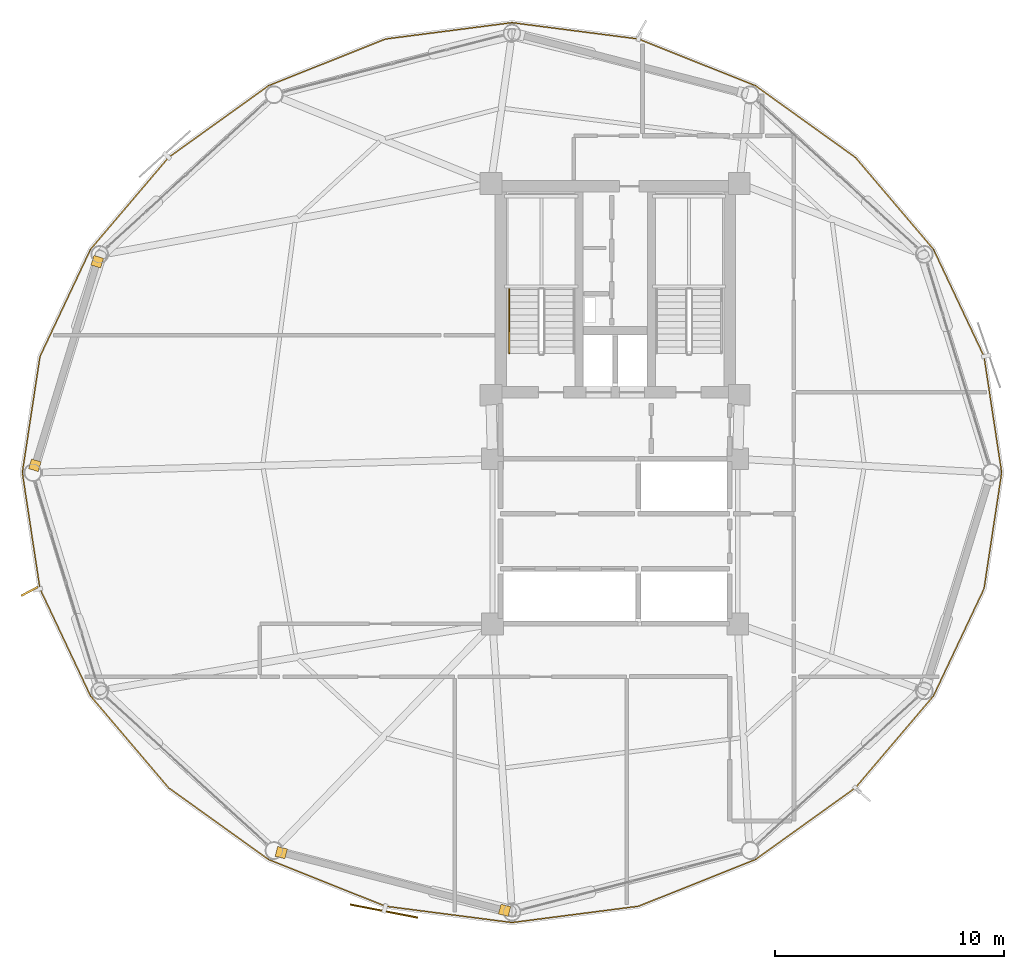
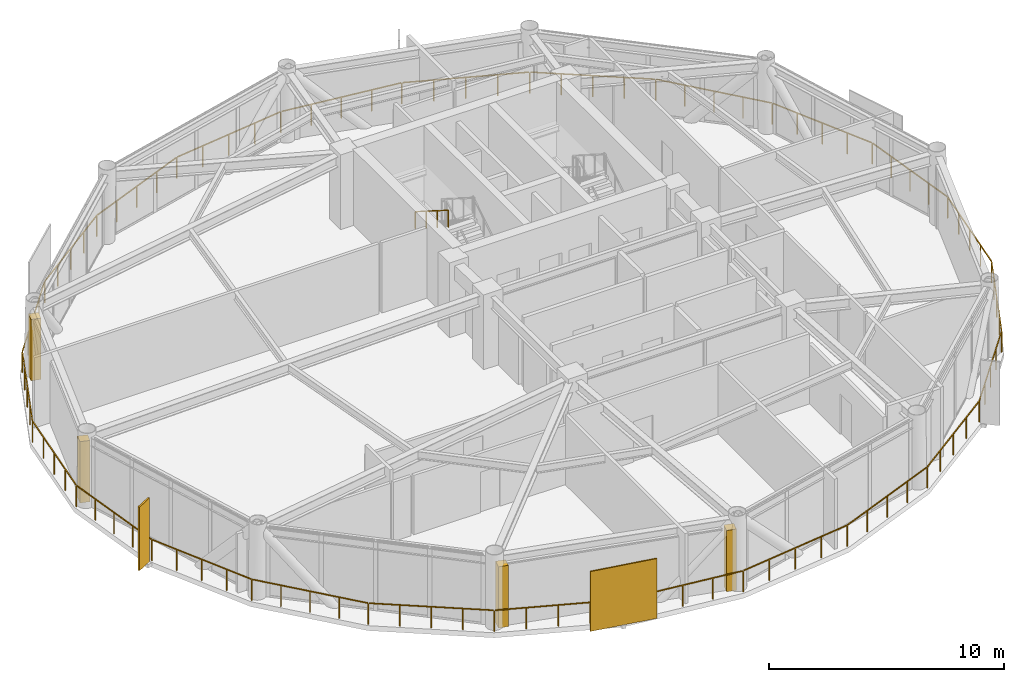
# One storey, part 25 of 27: 4 coverings, 2 railings, 2 shading devices.
"""IFC4 building model written with IfcOpenShell, lengths in metres."""

from ifc_helpers import new_model, si_unit, direction, frame, origin, origin_2d, place, context, subcontext, project, spatial, rectangle, extrude, source, transform, mapped, material, layer, layer_set, type_object, type_shapes, element, save


model = new_model("IFC4")

# Units and contexts
model_context = context("Model", 3, precision=1e-05, world=origin(), true_north=direction((0.0, 1.0)))
body_context = subcontext(model_context, "Body", "Model", "MODEL_VIEW")
ifc_project = project(units=[si_unit("LENGTHUNIT", "METRE"), si_unit("AREAUNIT", "SQUARE_METRE"), si_unit("VOLUMEUNIT", "CUBIC_METRE"), si_unit("PLANEANGLEUNIT", "RADIAN"), si_unit("MASSUNIT", "GRAM", prefix="KILO")], contexts=[model_context])

# Site, building, storey
site_placement = place(None, origin())
site = spatial("IfcSite", under=ifc_project, at=site_placement, CompositionType="ELEMENT")
building_placement = place(site_placement, origin())
building = spatial("IfcBuilding", under=site, at=building_placement, Name="Varnakorn Sky Granary", CompositionType="ELEMENT")
storey_placement = place(building_placement, frame((0.0, 0.0, 142.199951171875)))
storey = spatial("IfcBuildingStorey", under=building, at=storey_placement, Name="L35", CompositionType="ELEMENT", Elevation=142.199951171875)

# Railings
ifc_material_1 = material(Name="Anodised Bronze Aluminium Alloy 6063-T6", Category="aluminium")
railing_type_1 = type_object("IfcRailingType", Name="RL-BAL-1120", PredefinedType="BALUSTRADE", material=ifc_material_1)
railing_1_placement = place(storey_placement, frame((19.865966796875, 0.0, 0.0)))
element("IfcRailing", 1, at=railing_1_placement, inside=storey, type_object=railing_type_1, Name="Perimeter Slab-Edge Safety Guard L35", PredefinedType="BALUSTRADE", context=body_context, shape_type="SweptSolid", body=[
    extrude(rectangle(XDim=0.048095703125, YDim=0.048095703125, at=origin_2d()), frame((-0.004150390625, -0.027587890625, 1.09619140625), z_axis=(-0.150360002808, -0.988631311236, 0.0), x_axis=(0.988631311236, -0.150360002808, 0.0)), (0.0, 0.0, 1.0), 5.068359375),
    extrude(rectangle(XDim=0.048095703125, YDim=0.048095703125, at=origin_2d()), frame((-0.782470703125, -5.091552734375, 1.09619140625), z_axis=(-0.426515224889, -0.904480382838, 0.0), x_axis=(0.904480382838, -0.426515224889, 0.0)), (0.0, 0.0, 1.0), 5.1162109375),
    extrude(rectangle(XDim=0.048095703125, YDim=0.048095703125, at=origin_2d()), frame((-2.99462890625, -9.765625, 1.09619140625), z_axis=(-0.647547349465, -0.76202521625, 0.0), x_axis=(0.76202521625, -0.647547349465, 0.0)), (0.0, 0.0, 1.0), 5.203125),
    extrude(rectangle(XDim=0.048095703125, YDim=0.048095703125, at=origin_2d()), frame((-6.40478515625, -13.768310546875, 1.09619140625), z_axis=(-0.812556027239, -0.582883095138, 0.0), x_axis=(0.582883095138, -0.812556027239, 0.0)), (0.0, 0.0, 1.0), 5.3173828125),
    extrude(rectangle(XDim=0.048095703125, YDim=0.048095703125, at=origin_2d()), frame((-10.7744140625, -16.89453125, 1.09619140625), z_axis=(-0.92873103056, -0.370754194684, 0.0), x_axis=(0.370754194684, -0.92873103056, 0.0)), (0.0, 0.0, 1.0), 5.433837890625),
    extrude(rectangle(XDim=0.048095703125, YDim=0.048095703125, at=origin_2d()), frame((-15.874755859375, -18.923095703125, 1.09619140625), z_axis=(-0.991766187306, -0.128061819904, 0.0), x_axis=(0.128061819904, -0.991766187306, 0.0)), (0.0, 0.0, 1.0), 5.5087890625),
    extrude(rectangle(XDim=0.048095703125, YDim=0.048095703125, at=origin_2d()), frame((-21.393798828125, -19.62841796875, 1.09619140625), z_axis=(-0.991766187306, 0.128061819904, 0.0), x_axis=(-0.128061819904, -0.991766187306, 0.0)), (0.0, 0.0, 1.0), 5.5087890625),
    extrude(rectangle(XDim=0.048095703125, YDim=0.048095703125, at=origin_2d()), frame((-26.9111328125, -18.908935546875, 1.09619140625), z_axis=(-0.92873103056, 0.370754194684, 0.0), x_axis=(-0.370754194684, -0.92873103056, 0.0)), (0.0, 0.0, 1.0), 5.433837890625),
    extrude(rectangle(XDim=0.048095703125, YDim=0.048095703125, at=origin_2d()), frame((-32.00634765625, -16.86767578125, 1.09619140625), z_axis=(-0.812556027239, 0.582883095138, 0.0), x_axis=(-0.582883095138, -0.812556027239, 0.0)), (0.0, 0.0, 1.0), 5.3173828125),
    extrude(rectangle(XDim=0.048095703125, YDim=0.048095703125, at=origin_2d()), frame((-36.367919921875, -13.730712890625, 1.09619140625), z_axis=(-0.647547349465, 0.76202521625, 0.0), x_axis=(-0.76202521625, -0.647547349465, 0.0)), (0.0, 0.0, 1.0), 5.203125),
    extrude(rectangle(XDim=0.048095703125, YDim=0.048095703125, at=origin_2d()), frame((-39.767333984375, -9.718994140625, 1.09619140625), z_axis=(-0.426515224889, 0.904480382838, 0.0), x_axis=(-0.904480382838, -0.426515224889, 0.0)), (0.0, 0.0, 1.0), 5.1162109375),
    extrude(rectangle(XDim=0.048095703125, YDim=0.048095703125, at=origin_2d()), frame((-41.965576171875, -5.03857421875, 1.09619140625), z_axis=(-0.150360002808, 0.988631311236, 0.0), x_axis=(-0.988631311236, -0.150360002808, 0.0)), (0.0, 0.0, 1.0), 5.068359375),
    extrude(rectangle(XDim=0.048095703125, YDim=0.048095703125, at=origin_2d()), frame((-42.727783203125, 0.027587890625, 1.09619140625), z_axis=(0.150360002808, 0.988631311236, 0.0), x_axis=(-0.988631311236, 0.150360002808, 0.0)), (0.0, 0.0, 1.0), 5.068359375),
    extrude(rectangle(XDim=0.048095703125, YDim=0.048095703125, at=origin_2d()), frame((-41.949462890625, 5.091552734375, 1.09619140625), z_axis=(0.426515224889, 0.904480382838, 0.0), x_axis=(-0.904480382838, 0.426515224889, 0.0)), (0.0, 0.0, 1.0), 5.1162109375),
    extrude(rectangle(XDim=0.048095703125, YDim=0.048095703125, at=origin_2d()), frame((-39.7373046875, 9.765625, 1.09619140625), z_axis=(0.647547349465, 0.76202521625, 0.0), x_axis=(-0.76202521625, 0.647547349465, 0.0)), (0.0, 0.0, 1.0), 5.203125),
    extrude(rectangle(XDim=0.048095703125, YDim=0.048095703125, at=origin_2d()), frame((-36.3271484375, 13.768310546875, 1.09619140625), z_axis=(0.812556027239, 0.582883095138, 0.0), x_axis=(-0.582883095138, 0.812556027239, 0.0)), (0.0, 0.0, 1.0), 5.3173828125),
    extrude(rectangle(XDim=0.048095703125, YDim=0.048095703125, at=origin_2d()), frame((-31.95751953125, 16.89453125, 1.09619140625), z_axis=(0.92873103056, 0.370754194684, 0.0), x_axis=(-0.370754194684, 0.92873103056, 0.0)), (0.0, 0.0, 1.0), 5.433837890625),
    extrude(rectangle(XDim=0.048095703125, YDim=0.048095703125, at=origin_2d()), frame((-26.857177734375, 18.923095703125, 1.09619140625), z_axis=(0.991766187306, 0.128061819904, 0.0), x_axis=(-0.128061819904, 0.991766187306, 0.0)), (0.0, 0.0, 1.0), 5.5087890625),
    extrude(rectangle(XDim=0.048095703125, YDim=0.048095703125, at=origin_2d()), frame((-21.338134765625, 19.62841796875, 1.09619140625), z_axis=(0.991766187306, -0.128061819904, 0.0), x_axis=(0.128061819904, 0.991766187306, 0.0)), (0.0, 0.0, 1.0), 5.5087890625),
    extrude(rectangle(XDim=0.048095703125, YDim=0.048095703125, at=origin_2d()), frame((-15.82080078125, 18.908935546875, 1.09619140625), z_axis=(0.92873103056, -0.370754194684, 0.0), x_axis=(0.370754194684, 0.92873103056, 0.0)), (0.0, 0.0, 1.0), 5.433837890625),
    extrude(rectangle(XDim=0.048095703125, YDim=0.048095703125, at=origin_2d()), frame((-10.7255859375, 16.86767578125, 1.09619140625), z_axis=(0.812556027239, -0.582883095138, 0.0), x_axis=(0.582883095138, 0.812556027239, 0.0)), (0.0, 0.0, 1.0), 5.3173828125),
    extrude(rectangle(XDim=0.048095703125, YDim=0.048095703125, at=origin_2d()), frame((-6.364013671875, 13.730712890625, 1.09619140625), z_axis=(0.647547349465, -0.76202521625, 0.0), x_axis=(0.76202521625, 0.647547349465, 0.0)), (0.0, 0.0, 1.0), 5.203125),
    extrude(rectangle(XDim=0.048095703125, YDim=0.048095703125, at=origin_2d()), frame((-2.964599609375, 9.718994140625, 1.09619140625), z_axis=(0.426515224889, -0.904480382838, 0.0), x_axis=(0.904480382838, 0.426515224889, 0.0)), (0.0, 0.0, 1.0), 5.1162109375),
    extrude(rectangle(XDim=0.048095703125, YDim=0.048095703125, at=origin_2d()), frame((-0.766357421875, 5.03857421875, 1.09619140625), z_axis=(0.150360002808, -0.988631311236, 0.0), x_axis=(0.988631311236, 0.150360002808, 0.0)), (0.0, 0.0, 1.0), 5.068359375),
    extrude(rectangle(XDim=0.0419921875, YDim=0.0419921875, at=origin_2d()), origin(), (0.0, 0.0, 1.0), 1.068115234375),
    extrude(rectangle(XDim=0.0419921875, YDim=0.0419921875, at=origin_2d()), frame((-0.192626953125, -1.2666015625, 0.0)), (0.0, 0.0, 1.0), 1.068115234375),
    extrude(rectangle(XDim=0.0419921875, YDim=0.0419921875, at=origin_2d()), frame((-0.38525390625, -2.533203125, 0.0)), (0.0, 0.0, 1.0), 1.068115234375),
    extrude(rectangle(XDim=0.0419921875, YDim=0.0419921875, at=origin_2d()), frame((-0.577880859375, -3.799560546875, 0.0)), (0.0, 0.0, 1.0), 1.068115234375),
    extrude(rectangle(XDim=0.0419921875, YDim=0.0419921875, at=origin_2d()), frame((-0.7705078125, -5.066162109375, 0.0)), (0.0, 0.0, 1.0), 1.068115234375),
    extrude(rectangle(XDim=0.0419921875, YDim=0.0419921875, at=origin_2d()), frame((-1.322021484375, -6.23583984375, 0.0)), (0.0, 0.0, 1.0), 1.068115234375),
    extrude(rectangle(XDim=0.0419921875, YDim=0.0419921875, at=origin_2d()), frame((-1.87353515625, -7.4052734375, 0.0)), (0.0, 0.0, 1.0), 1.068115234375),
    extrude(rectangle(XDim=0.0419921875, YDim=0.0419921875, at=origin_2d()), frame((-2.425048828125, -8.57470703125, 0.0)), (0.0, 0.0, 1.0), 1.068115234375),
    extrude(rectangle(XDim=0.0419921875, YDim=0.0419921875, at=origin_2d()), frame((-2.9765625, -9.744384765625, 0.0)), (0.0, 0.0, 1.0), 1.068115234375),
    extrude(rectangle(XDim=0.0419921875, YDim=0.0419921875, at=origin_2d()), frame((-3.827880859375, -10.746337890625, 0.0)), (0.0, 0.0, 1.0), 1.068115234375),
    extrude(rectangle(XDim=0.0419921875, YDim=0.0419921875, at=origin_2d()), frame((-4.67919921875, -11.748046875, 0.0)), (0.0, 0.0, 1.0), 1.068115234375),
    extrude(rectangle(XDim=0.0419921875, YDim=0.0419921875, at=origin_2d()), frame((-5.53076171875, -12.75, 0.0)), (0.0, 0.0, 1.0), 1.068115234375),
    extrude(rectangle(XDim=0.0419921875, YDim=0.0419921875, at=origin_2d()), frame((-6.382080078125, -13.751953125, 0.0)), (0.0, 0.0, 1.0), 1.068115234375),
    extrude(rectangle(XDim=0.0419921875, YDim=0.0419921875, at=origin_2d()), frame((-7.4736328125, -14.534912109375, 0.0)), (0.0, 0.0, 1.0), 1.068115234375),
    extrude(rectangle(XDim=0.0419921875, YDim=0.0419921875, at=origin_2d()), frame((-8.565185546875, -15.31787109375, 0.0)), (0.0, 0.0, 1.0), 1.068115234375),
    extrude(rectangle(XDim=0.0419921875, YDim=0.0419921875, at=origin_2d()), frame((-9.65673828125, -16.10107421875, 0.0)), (0.0, 0.0, 1.0), 1.068115234375),
    extrude(rectangle(XDim=0.0419921875, YDim=0.0419921875, at=origin_2d()), frame((-10.748291015625, -16.884033203125, 0.0)), (0.0, 0.0, 1.0), 1.068115234375),
    extrude(rectangle(XDim=0.0419921875, YDim=0.0419921875, at=origin_2d()), frame((-12.02294921875, -17.392822265625, 0.0)), (0.0, 0.0, 1.0), 1.068115234375),
    extrude(rectangle(XDim=0.0419921875, YDim=0.0419921875, at=origin_2d()), frame((-13.297607421875, -17.90185546875, 0.0)), (0.0, 0.0, 1.0), 1.068115234375),
    extrude(rectangle(XDim=0.0419921875, YDim=0.0419921875, at=origin_2d()), frame((-14.572265625, -18.41064453125, 0.0)), (0.0, 0.0, 1.0), 1.068115234375),
    extrude(rectangle(XDim=0.0419921875, YDim=0.0419921875, at=origin_2d()), frame((-15.846923828125, -18.91943359375, 0.0)), (0.0, 0.0, 1.0), 1.068115234375),
    extrude(rectangle(XDim=0.0419921875, YDim=0.0419921875, at=origin_2d()), frame((-17.2265625, -19.09765625, 0.0)), (0.0, 0.0, 1.0), 1.068115234375),
    extrude(rectangle(XDim=0.0419921875, YDim=0.0419921875, at=origin_2d()), frame((-18.6064453125, -19.27587890625, 0.0)), (0.0, 0.0, 1.0), 1.068115234375),
    extrude(rectangle(XDim=0.0419921875, YDim=0.0419921875, at=origin_2d()), frame((-19.986328125, -19.453857421875, 0.0)), (0.0, 0.0, 1.0), 1.068115234375),
    extrude(rectangle(XDim=0.0419921875, YDim=0.0419921875, at=origin_2d()), frame((-21.365966796875, -19.632080078125, 0.0)), (0.0, 0.0, 1.0), 1.068115234375),
    extrude(rectangle(XDim=0.0419921875, YDim=0.0419921875, at=origin_2d()), frame((-22.74560546875, -19.453857421875, 0.0)), (0.0, 0.0, 1.0), 1.068115234375),
    extrude(rectangle(XDim=0.0419921875, YDim=0.0419921875, at=origin_2d()), frame((-24.12548828125, -19.27587890625, 0.0)), (0.0, 0.0, 1.0), 1.068115234375),
    extrude(rectangle(XDim=0.0419921875, YDim=0.0419921875, at=origin_2d()), frame((-25.50537109375, -19.09765625, 0.0)), (0.0, 0.0, 1.0), 1.068115234375),
    extrude(rectangle(XDim=0.0419921875, YDim=0.0419921875, at=origin_2d()), frame((-26.885009765625, -18.91943359375, 0.0)), (0.0, 0.0, 1.0), 1.068115234375),
    extrude(rectangle(XDim=0.0419921875, YDim=0.0419921875, at=origin_2d()), frame((-28.15966796875, -18.41064453125, 0.0)), (0.0, 0.0, 1.0), 1.068115234375),
    extrude(rectangle(XDim=0.0419921875, YDim=0.0419921875, at=origin_2d()), frame((-29.434326171875, -17.90185546875, 0.0)), (0.0, 0.0, 1.0), 1.068115234375),
    extrude(rectangle(XDim=0.0419921875, YDim=0.0419921875, at=origin_2d()), frame((-30.708984375, -17.392822265625, 0.0)), (0.0, 0.0, 1.0), 1.068115234375),
    extrude(rectangle(XDim=0.0419921875, YDim=0.0419921875, at=origin_2d()), frame((-31.983642578125, -16.884033203125, 0.0)), (0.0, 0.0, 1.0), 1.068115234375),
    extrude(rectangle(XDim=0.0419921875, YDim=0.0419921875, at=origin_2d()), frame((-33.0751953125, -16.10107421875, 0.0)), (0.0, 0.0, 1.0), 1.068115234375),
    extrude(rectangle(XDim=0.0419921875, YDim=0.0419921875, at=origin_2d()), frame((-34.166748046875, -15.31787109375, 0.0)), (0.0, 0.0, 1.0), 1.068115234375),
    extrude(rectangle(XDim=0.0419921875, YDim=0.0419921875, at=origin_2d()), frame((-35.25830078125, -14.534912109375, 0.0)), (0.0, 0.0, 1.0), 1.068115234375),
    extrude(rectangle(XDim=0.0419921875, YDim=0.0419921875, at=origin_2d()), frame((-36.349853515625, -13.751953125, 0.0)), (0.0, 0.0, 1.0), 1.068115234375),
    extrude(rectangle(XDim=0.0419921875, YDim=0.0419921875, at=origin_2d()), frame((-37.201171875, -12.75, 0.0)), (0.0, 0.0, 1.0), 1.068115234375),
    extrude(rectangle(XDim=0.0419921875, YDim=0.0419921875, at=origin_2d()), frame((-38.052734375, -11.748046875, 0.0)), (0.0, 0.0, 1.0), 1.068115234375),
    extrude(rectangle(XDim=0.0419921875, YDim=0.0419921875, at=origin_2d()), frame((-38.904052734375, -10.746337890625, 0.0)), (0.0, 0.0, 1.0), 1.068115234375),
    extrude(rectangle(XDim=0.0419921875, YDim=0.0419921875, at=origin_2d()), frame((-39.75537109375, -9.744384765625, 0.0)), (0.0, 0.0, 1.0), 1.068115234375),
    extrude(rectangle(XDim=0.0419921875, YDim=0.0419921875, at=origin_2d()), frame((-40.306884765625, -8.57470703125, 0.0)), (0.0, 0.0, 1.0), 1.068115234375),
    extrude(rectangle(XDim=0.0419921875, YDim=0.0419921875, at=origin_2d()), frame((-40.8583984375, -7.4052734375, 0.0)), (0.0, 0.0, 1.0), 1.068115234375),
    extrude(rectangle(XDim=0.0419921875, YDim=0.0419921875, at=origin_2d()), frame((-41.409912109375, -6.23583984375, 0.0)), (0.0, 0.0, 1.0), 1.068115234375),
    extrude(rectangle(XDim=0.0419921875, YDim=0.0419921875, at=origin_2d()), frame((-41.96142578125, -5.066162109375, 0.0)), (0.0, 0.0, 1.0), 1.068115234375),
    extrude(rectangle(XDim=0.0419921875, YDim=0.0419921875, at=origin_2d()), frame((-42.154052734375, -3.799560546875, 0.0)), (0.0, 0.0, 1.0), 1.068115234375),
    extrude(rectangle(XDim=0.0419921875, YDim=0.0419921875, at=origin_2d()), frame((-42.3466796875, -2.533203125, 0.0)), (0.0, 0.0, 1.0), 1.068115234375),
    extrude(rectangle(XDim=0.0419921875, YDim=0.0419921875, at=origin_2d()), frame((-42.539306640625, -1.2666015625, 0.0)), (0.0, 0.0, 1.0), 1.068115234375),
    extrude(rectangle(XDim=0.0419921875, YDim=0.0419921875, at=origin_2d()), frame((-42.73193359375, 0.0, 0.0)), (0.0, 0.0, 1.0), 1.068115234375),
    extrude(rectangle(XDim=0.0419921875, YDim=0.0419921875, at=origin_2d()), frame((-42.539306640625, 1.2666015625, 0.0)), (0.0, 0.0, 1.0), 1.068115234375),
    extrude(rectangle(XDim=0.0419921875, YDim=0.0419921875, at=origin_2d()), frame((-42.3466796875, 2.533203125, 0.0)), (0.0, 0.0, 1.0), 1.068115234375),
    extrude(rectangle(XDim=0.0419921875, YDim=0.0419921875, at=origin_2d()), frame((-42.154052734375, 3.799560546875, 0.0)), (0.0, 0.0, 1.0), 1.068115234375),
    extrude(rectangle(XDim=0.0419921875, YDim=0.0419921875, at=origin_2d()), frame((-41.96142578125, 5.066162109375, 0.0)), (0.0, 0.0, 1.0), 1.068115234375),
    extrude(rectangle(XDim=0.0419921875, YDim=0.0419921875, at=origin_2d()), frame((-41.409912109375, 6.23583984375, 0.0)), (0.0, 0.0, 1.0), 1.068115234375),
    extrude(rectangle(XDim=0.0419921875, YDim=0.0419921875, at=origin_2d()), frame((-40.8583984375, 7.4052734375, 0.0)), (0.0, 0.0, 1.0), 1.068115234375),
    extrude(rectangle(XDim=0.0419921875, YDim=0.0419921875, at=origin_2d()), frame((-40.306884765625, 8.57470703125, 0.0)), (0.0, 0.0, 1.0), 1.068115234375),
    extrude(rectangle(XDim=0.0419921875, YDim=0.0419921875, at=origin_2d()), frame((-39.75537109375, 9.744384765625, 0.0)), (0.0, 0.0, 1.0), 1.068115234375),
    extrude(rectangle(XDim=0.0419921875, YDim=0.0419921875, at=origin_2d()), frame((-38.904052734375, 10.746337890625, 0.0)), (0.0, 0.0, 1.0), 1.068115234375),
    extrude(rectangle(XDim=0.0419921875, YDim=0.0419921875, at=origin_2d()), frame((-38.052734375, 11.748046875, 0.0)), (0.0, 0.0, 1.0), 1.068115234375),
    extrude(rectangle(XDim=0.0419921875, YDim=0.0419921875, at=origin_2d()), frame((-37.201171875, 12.75, 0.0)), (0.0, 0.0, 1.0), 1.068115234375),
    extrude(rectangle(XDim=0.0419921875, YDim=0.0419921875, at=origin_2d()), frame((-36.349853515625, 13.751953125, 0.0)), (0.0, 0.0, 1.0), 1.068115234375),
    extrude(rectangle(XDim=0.0419921875, YDim=0.0419921875, at=origin_2d()), frame((-35.25830078125, 14.534912109375, 0.0)), (0.0, 0.0, 1.0), 1.068115234375),
    extrude(rectangle(XDim=0.0419921875, YDim=0.0419921875, at=origin_2d()), frame((-34.166748046875, 15.31787109375, 0.0)), (0.0, 0.0, 1.0), 1.068115234375),
    extrude(rectangle(XDim=0.0419921875, YDim=0.0419921875, at=origin_2d()), frame((-33.0751953125, 16.10107421875, 0.0)), (0.0, 0.0, 1.0), 1.068115234375),
    extrude(rectangle(XDim=0.0419921875, YDim=0.0419921875, at=origin_2d()), frame((-31.983642578125, 16.884033203125, 0.0)), (0.0, 0.0, 1.0), 1.068115234375),
    extrude(rectangle(XDim=0.0419921875, YDim=0.0419921875, at=origin_2d()), frame((-30.708984375, 17.392822265625, 0.0)), (0.0, 0.0, 1.0), 1.068115234375),
    extrude(rectangle(XDim=0.0419921875, YDim=0.0419921875, at=origin_2d()), frame((-29.434326171875, 17.90185546875, 0.0)), (0.0, 0.0, 1.0), 1.068115234375),
    extrude(rectangle(XDim=0.0419921875, YDim=0.0419921875, at=origin_2d()), frame((-28.15966796875, 18.41064453125, 0.0)), (0.0, 0.0, 1.0), 1.068115234375),
    extrude(rectangle(XDim=0.0419921875, YDim=0.0419921875, at=origin_2d()), frame((-26.885009765625, 18.91943359375, 0.0)), (0.0, 0.0, 1.0), 1.068115234375),
    extrude(rectangle(XDim=0.0419921875, YDim=0.0419921875, at=origin_2d()), frame((-25.50537109375, 19.09765625, 0.0)), (0.0, 0.0, 1.0), 1.068115234375),
    extrude(rectangle(XDim=0.0419921875, YDim=0.0419921875, at=origin_2d()), frame((-24.12548828125, 19.27587890625, 0.0)), (0.0, 0.0, 1.0), 1.068115234375),
    extrude(rectangle(XDim=0.0419921875, YDim=0.0419921875, at=origin_2d()), frame((-22.74560546875, 19.453857421875, 0.0)), (0.0, 0.0, 1.0), 1.068115234375),
    extrude(rectangle(XDim=0.0419921875, YDim=0.0419921875, at=origin_2d()), frame((-21.365966796875, 19.632080078125, 0.0)), (0.0, 0.0, 1.0), 1.068115234375),
    extrude(rectangle(XDim=0.0419921875, YDim=0.0419921875, at=origin_2d()), frame((-19.986328125, 19.453857421875, 0.0)), (0.0, 0.0, 1.0), 1.068115234375),
    extrude(rectangle(XDim=0.0419921875, YDim=0.0419921875, at=origin_2d()), frame((-18.6064453125, 19.27587890625, 0.0)), (0.0, 0.0, 1.0), 1.068115234375),
    extrude(rectangle(XDim=0.0419921875, YDim=0.0419921875, at=origin_2d()), frame((-17.2265625, 19.09765625, 0.0)), (0.0, 0.0, 1.0), 1.068115234375),
    extrude(rectangle(XDim=0.0419921875, YDim=0.0419921875, at=origin_2d()), frame((-15.846923828125, 18.91943359375, 0.0)), (0.0, 0.0, 1.0), 1.068115234375),
    extrude(rectangle(XDim=0.0419921875, YDim=0.0419921875, at=origin_2d()), frame((-14.572265625, 18.41064453125, 0.0)), (0.0, 0.0, 1.0), 1.068115234375),
    extrude(rectangle(XDim=0.0419921875, YDim=0.0419921875, at=origin_2d()), frame((-13.297607421875, 17.90185546875, 0.0)), (0.0, 0.0, 1.0), 1.068115234375),
    extrude(rectangle(XDim=0.0419921875, YDim=0.0419921875, at=origin_2d()), frame((-12.02294921875, 17.392822265625, 0.0)), (0.0, 0.0, 1.0), 1.068115234375),
    extrude(rectangle(XDim=0.0419921875, YDim=0.0419921875, at=origin_2d()), frame((-10.748291015625, 16.884033203125, 0.0)), (0.0, 0.0, 1.0), 1.068115234375),
    extrude(rectangle(XDim=0.0419921875, YDim=0.0419921875, at=origin_2d()), frame((-9.65673828125, 16.10107421875, 0.0)), (0.0, 0.0, 1.0), 1.068115234375),
    extrude(rectangle(XDim=0.0419921875, YDim=0.0419921875, at=origin_2d()), frame((-8.565185546875, 15.31787109375, 0.0)), (0.0, 0.0, 1.0), 1.068115234375),
    extrude(rectangle(XDim=0.0419921875, YDim=0.0419921875, at=origin_2d()), frame((-7.4736328125, 14.534912109375, 0.0)), (0.0, 0.0, 1.0), 1.068115234375),
    extrude(rectangle(XDim=0.0419921875, YDim=0.0419921875, at=origin_2d()), frame((-6.382080078125, 13.751953125, 0.0)), (0.0, 0.0, 1.0), 1.068115234375),
    extrude(rectangle(XDim=0.0419921875, YDim=0.0419921875, at=origin_2d()), frame((-5.53076171875, 12.75, 0.0)), (0.0, 0.0, 1.0), 1.068115234375),
    extrude(rectangle(XDim=0.0419921875, YDim=0.0419921875, at=origin_2d()), frame((-4.67919921875, 11.748046875, 0.0)), (0.0, 0.0, 1.0), 1.068115234375),
    extrude(rectangle(XDim=0.0419921875, YDim=0.0419921875, at=origin_2d()), frame((-3.827880859375, 10.746337890625, 0.0)), (0.0, 0.0, 1.0), 1.068115234375),
    extrude(rectangle(XDim=0.0419921875, YDim=0.0419921875, at=origin_2d()), frame((-2.9765625, 9.744384765625, 0.0)), (0.0, 0.0, 1.0), 1.068115234375),
    extrude(rectangle(XDim=0.0419921875, YDim=0.0419921875, at=origin_2d()), frame((-2.425048828125, 8.57470703125, 0.0)), (0.0, 0.0, 1.0), 1.068115234375),
    extrude(rectangle(XDim=0.0419921875, YDim=0.0419921875, at=origin_2d()), frame((-1.87353515625, 7.4052734375, 0.0)), (0.0, 0.0, 1.0), 1.068115234375),
    extrude(rectangle(XDim=0.0419921875, YDim=0.0419921875, at=origin_2d()), frame((-1.322021484375, 6.23583984375, 0.0)), (0.0, 0.0, 1.0), 1.068115234375),
    extrude(rectangle(XDim=0.0419921875, YDim=0.0419921875, at=origin_2d()), frame((-0.7705078125, 5.066162109375, 0.0)), (0.0, 0.0, 1.0), 1.068115234375),
    extrude(rectangle(XDim=0.0419921875, YDim=0.0419921875, at=origin_2d()), frame((-0.577880859375, 3.799560546875, 0.0)), (0.0, 0.0, 1.0), 1.068115234375),
    extrude(rectangle(XDim=0.0419921875, YDim=0.0419921875, at=origin_2d()), frame((-0.38525390625, 2.533203125, 0.0)), (0.0, 0.0, 1.0), 1.068115234375),
    extrude(rectangle(XDim=0.0419921875, YDim=0.0419921875, at=origin_2d()), frame((-0.192626953125, 1.2666015625, 0.0)), (0.0, 0.0, 1.0), 1.068115234375),
])
ifc_material_2 = material(Name="Brushed Stainless Steel 316", Category="steel")
railing_type_2 = type_object("IfcRailingType", Name="RL-STAIR-920", PredefinedType="HANDRAIL", material=ifc_material_2)
railing_2_placement = place(storey_placement, frame((-1.6201171875, 8.0, 2.12744140625)))
element("IfcRailing", 2, at=railing_2_placement, inside=storey, type_object=railing_type_2, Name="L35 ST-1 stair handrail 2", PredefinedType="HANDRAIL", context=body_context, shape_type="SweptSolid", body=[
    extrude(rectangle(XDim=0.048095703125, YDim=0.048095703125, at=origin_2d()), frame((0.0, 0.0, 0.8759765625), z_axis=(0.0, -0.844908973607, 0.534910110503), x_axis=(1.0, 0.0, 0.0)), (0.0, 0.0, 1.0), 3.31396484375),
    extrude(rectangle(XDim=0.0419921875, YDim=0.0419921875, at=origin_2d()), origin(), (0.0, 0.0, 1.0), 0.847900390625),
    extrude(rectangle(XDim=0.0419921875, YDim=0.0419921875, at=origin_2d()), frame((0.0, -0.933349609375, 0.5908203125)), (0.0, 0.0, 1.0), 0.847900390625),
    extrude(rectangle(XDim=0.0419921875, YDim=0.0419921875, at=origin_2d()), frame((0.0, -1.86669921875, 1.181884765625)), (0.0, 0.0, 1.0), 0.847900390625),
    extrude(rectangle(XDim=0.0419921875, YDim=0.0419921875, at=origin_2d()), frame((0.0, -2.800048828125, 1.772705078125)), (0.0, 0.0, 1.0), 0.847900390625),
])

# Shading devices
shading_device_type_1 = type_object("IfcShadingDeviceType", Name="SH-SCR-02", PredefinedType="USERDEFINED", material=ifc_material_1)
shared_shape_1 = source(origin(), body_context, "Body", "SweptSolid", [
    extrude(rectangle(XDim=3.0, YDim=0.06494140625, at=origin_2d()), origin(), (0.0, 0.0, 1.0), 3.10009765625),
])
type_shapes(shading_device_type_1, [shared_shape_1])
shading_device_1_placement = place(storey_placement, frame((-7.08056640625, -19.131591796875, -0.0400390625), z_axis=(0.0, 0.0, 1.0), x_axis=(0.981588061705, -0.191010149253, 0.0)))
element("IfcShadingDevice", 3, at=shading_device_1_placement, inside=storey, type_object=shading_device_type_1, Name="Perforated Bronze Solar Screen Panel SCREEN L35-09", ObjectType="SCREEN", PredefinedType="USERDEFINED", context=body_context, shape_type="MappedRepresentation", body=[
    mapped(shared_shape_1, transform((0.0, 0.0, 0.0), x_axis=(1.0, 0.0, 0.0), y_axis=(0.0, 1.0, 0.0), z_axis=(0.0, 0.0, 1.0), scale=1.0)),
])
shading_device_type_2 = type_object("IfcShadingDeviceType", Name="SH-FIN-02", PredefinedType="USERDEFINED", material=ifc_material_1)
shared_shape_2 = source(origin(), body_context, "Body", "SweptSolid", [
    extrude(rectangle(XDim=0.0849609375, YDim=0.820068359375, at=origin_2d()), origin(), (0.0, 0.0, 1.0), 3.300048828125),
])
type_shapes(shading_device_type_2, [shared_shape_2])
shading_device_2_placement = place(storey_placement, frame((-22.552001953125, -5.181640625, -0.0400390625), z_axis=(0.0, 0.0, 1.0), x_axis=(0.469469763073, -0.882948549781, 0.0)))
element("IfcShadingDevice", 4, at=shading_device_2_placement, inside=storey, type_object=shading_device_type_2, Name="Bronze Solar-Tracking Vertical Blade FIN L35-07", ObjectType="FIN", PredefinedType="USERDEFINED", context=body_context, shape_type="MappedRepresentation", body=[
    mapped(shared_shape_2, transform((0.0, 0.0, 0.0), x_axis=(1.0, 0.0, 0.0), y_axis=(0.0, 1.0, 0.0), z_axis=(0.0, 0.0, 1.0), scale=1.0)),
])

# Coverings
ifc_layer = layer(ifc_material_1, 0.050048828125, Name="Anodised Bronze Aluminium Alloy 6063-T6")
ifc_layer_set = layer_set([ifc_layer], Name="Anodised Bronze Aluminium Alloy 6063-T6")
covering_type = type_object("IfcCoveringType", Name="CV-CLAD-50", PredefinedType="CLADDING", material=ifc_layer_set)
shared_shape_3 = source(origin(), body_context, "Body", "SweptSolid", [
    extrude(rectangle(XDim=0.43994140625, YDim=0.43994140625, at=origin_2d()), origin(), (0.0, 0.0, 1.0), 3.179931640625),
])
type_shapes(covering_type, [shared_shape_3])
for number, where, z_axis, x_axis, name in (
    (5, (-22.318603515625, 0.3212890625, -0.02001953125), (0.0, 0.0, 1.0), (0.293039260085, 0.956100408978, 0.0), "Bronze Corner Pilaster Closure L35-P06-A"),
    (6, (-19.59619140625, 9.202880859375, -0.02001953125), (0.0, 0.0, 1.0), (0.293039260085, 0.956100408978, 0.0), "Bronze Corner Pilaster Closure L35-P06-B"),
    (7, (-1.8251953125, -19.098876953125, -0.02001953125), (0.0, 0.0, 1.0), (-0.968147640378, 0.250380004054, 0.0), "Bronze Corner Pilaster Closure L35-P09-A"),
    (8, (-11.565673828125, -16.580078125, -0.02001953125), (0.0, 0.0, 1.0), (-0.968147640378, 0.250380004054, 0.0), "Bronze Corner Pilaster Closure L35-P09-B"),
):
    element("IfcCovering", number, at=place(storey_placement, frame(where, z_axis=z_axis, x_axis=x_axis)), inside=storey, type_object=covering_type, Name=name, PredefinedType="CLADDING", context=body_context, shape_type="MappedRepresentation", body=[
        mapped(shared_shape_3, transform((0.0, 0.0, 0.0), x_axis=(1.0, 0.0, 0.0), y_axis=(0.0, 1.0, 0.0), z_axis=(0.0, 0.0, 1.0), scale=1.0)),
    ])

save(model, "model.ifc")
